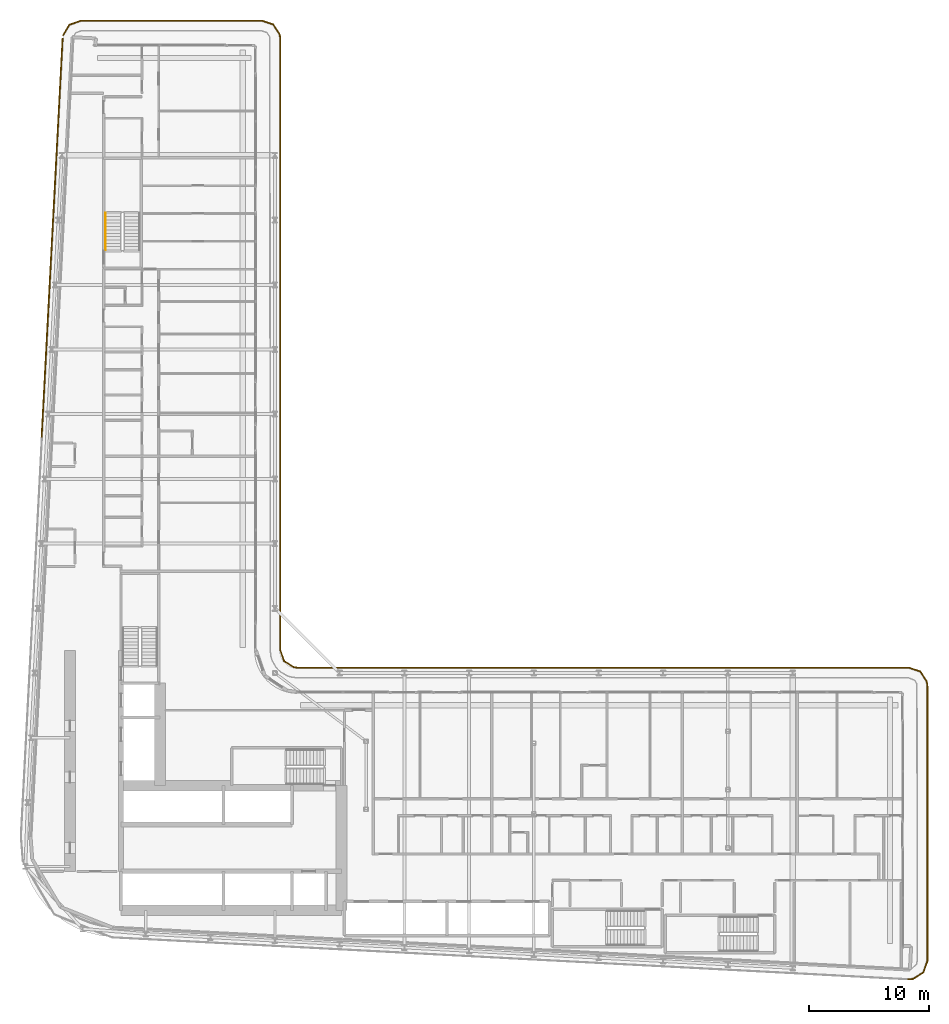
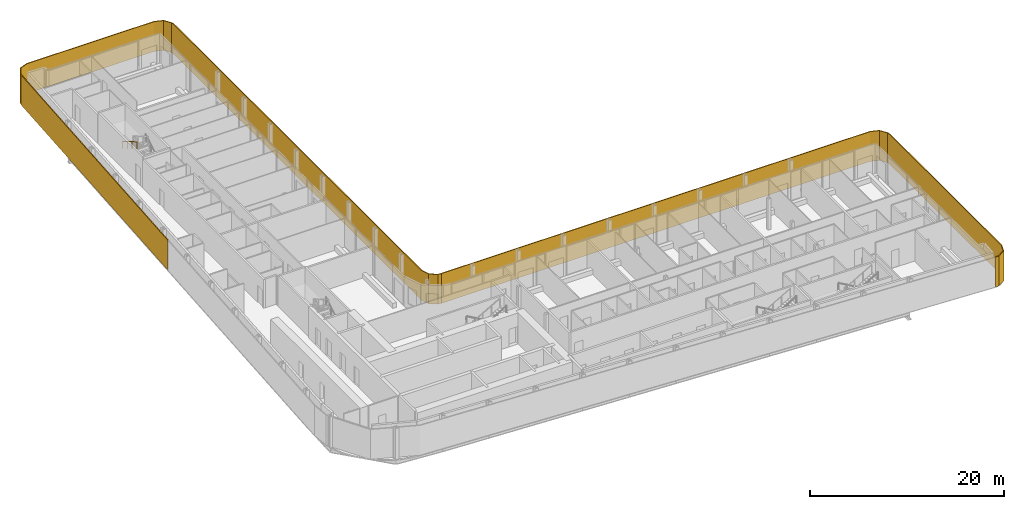
# One storey, part 26 of 28: 3 shading devices, 1 railing.
"""IFC4 building model written with IfcOpenShell, lengths in metres."""

from ifc_helpers import new_model, si_unit, direction, frame, origin, origin_2d, place, context, subcontext, project, spatial, polyline, rectangle, circle, outline, extrude, material, layer, layer_set, type_object, element, save


model = new_model("IFC4")

# Units and contexts
model_context = context("Model", 3, precision=1e-05, world=origin(), true_north=direction((0.0, 1.0)))
body_context = subcontext(model_context, "Body", "Model", "MODEL_VIEW")
ifc_project = project(units=[si_unit("LENGTHUNIT", "METRE"), si_unit("AREAUNIT", "SQUARE_METRE"), si_unit("VOLUMEUNIT", "CUBIC_METRE"), si_unit("PLANEANGLEUNIT", "RADIAN"), si_unit("MASSUNIT", "GRAM", prefix="KILO")], contexts=[model_context])

# Site, building, storey
site_placement = place(None, origin())
site = spatial("IfcSite", under=ifc_project, at=site_placement, CompositionType="ELEMENT")
building_placement = place(site_placement, origin())
building = spatial("IfcBuilding", under=site, at=building_placement, Name="Kheshtan School and Residences Tower", CompositionType="ELEMENT")
storey_placement = place(building_placement, frame((0.0, 0.0, 133.10009765625)))
storey = spatial("IfcBuildingStorey", under=building, at=storey_placement, Name="L31", CompositionType="ELEMENT", Elevation=133.10009765625)

# Shading devices
ifc_material_1 = material(Name="Terracotta baguette, extruded ceramic", Category="masonry")
ifc_layer_1 = layer(ifc_material_1, 0.10009765625)
ifc_layer_set_1 = layer_set([ifc_layer_1], Name="Ledge screen, terracotta baguettes")
shading_device_type_1 = type_object("IfcShadingDeviceType", Name="Ledge screen, terracotta baguettes", PredefinedType="USERDEFINED", material=ifc_layer_set_1)
shading_device_1_placement = place(storey_placement, frame((28.9990234375, 81.93408203125, 0.0), z_axis=(0.0, 0.0, 1.0), x_axis=(0.052562536748, 0.998617634398, 0.0)))
element("IfcShadingDevice", 1, at=shading_device_1_placement, inside=storey, type_object=shading_device_type_1, Name="Screen L31 5", ObjectType="BAGUETTE", PredefinedType="USERDEFINED", context=body_context, shape_type="SweptSolid", body=[
    extrude(rectangle(XDim=33.341064453125, YDim=0.10009765625, at=origin_2d()), origin(), (0.0, 0.0, 1.0), 3.75),
])
ifc_material_2 = material(Name="Terracotta lattice, extruded ceramic", Category="masonry")
ifc_layer_2 = layer(ifc_material_2, 0.10009765625)
ifc_layer_set_2 = layer_set([ifc_layer_2], Name="Loggia screen, terracotta lattice")
shading_device_type_2 = type_object("IfcShadingDeviceType", Name="Loggia screen, terracotta lattice", PredefinedType="USERDEFINED", material=ifc_layer_set_2)
shading_device_2_placement = place(storey_placement, origin())
element("IfcShadingDevice", 2, at=shading_device_2_placement, inside=storey, type_object=shading_device_type_2, Name="Screen L31 1", ObjectType="SCREEN", PredefinedType="USERDEFINED", context=body_context, shape_type="SweptSolid", body=[
    extrude(outline(polyline([(29.949951171875, 98.783935546875), (30.468017578125, 99.656982421875), (31.423095703125, 100.0), (46.5, 100.0), (47.4130859375, 99.68994140625), (47.948974609375, 98.887939453125), (48.0, 98.5), (48.0, 47.5), (48.31005859375, 46.5869140625), (49.112060546875, 46.051025390625), (49.5, 46.0), (49.512939453125, 46.09912109375), (49.14794921875, 46.14697265625), (48.39404296875, 46.65087890625), (48.10009765625, 47.51708984375), (48.10009765625, 98.507080078125), (48.044921875, 98.924072265625), (47.47705078125, 99.77392578125), (46.51708984375, 100.10009765625), (31.406005859375, 100.10009765625), (30.39990234375, 99.739013671875), (29.864013671875, 98.8349609375), (29.949951171875, 98.783935546875)])), origin(), (0.0, 0.0, 1.0), 3.75),
])
shading_device_3_placement = place(storey_placement, origin())
element("IfcShadingDevice", 3, at=shading_device_3_placement, inside=storey, type_object=shading_device_type_2, Name="Screen L31 2", ObjectType="SCREEN", PredefinedType="USERDEFINED", context=body_context, shape_type="SweptSolid", body=[
    extrude(outline(polyline([(49.5, 46.0), (100.5, 46.0), (101.4130859375, 45.68994140625), (101.948974609375, 44.887939453125), (102.0, 44.5), (102.0, 21.5810546875), (101.669921875, 20.64208984375), (100.823974609375, 20.116943359375), (100.4208984375, 20.0830078125), (100.428955078125, 19.98291015625), (100.85595703125, 20.01904296875), (101.7529296875, 20.575927734375), (102.10009765625, 21.56396484375), (102.10009765625, 44.507080078125), (102.044921875, 44.924072265625), (101.47705078125, 45.77392578125), (100.51708984375, 46.10009765625), (49.5, 46.10009765625), (49.5, 46.0)])), origin(), (0.0, 0.0, 1.0), 3.75),
])

# Railing
ifc_material_3 = material(Name="Stainless steel handrail", Category="steel")
railing_type = type_object("IfcRailingType", Name="Stair handrail 900", PredefinedType="HANDRAIL", material=ifc_material_3)
railing_placement = place(storey_placement, frame((33.449951171875, 83.97998046875, 2.1123046875)))
element("IfcRailing", 4, at=railing_placement, inside=storey, type_object=railing_type, Name="L31 ST3 stair handrail 2", PredefinedType="HANDRAIL", context=body_context, shape_type="SweptSolid", body=[
    extrude(circle(Radius=0.02392578125, at=origin_2d()), frame((0.0, 0.0, 0.8759765625), z_axis=(0.0, -0.864890721111, 0.501960198159), x_axis=(1.0, 0.0, 0.0)), (0.0, 0.0, 1.0), 3.561279296875),
    extrude(circle(Radius=0.02099609375, at=origin_2d()), origin(), (0.0, 0.0, 1.0), 0.851806640625),
    extrude(circle(Radius=0.02099609375, at=origin_2d()), frame((0.0, -1.026611328125, 0.595947265625)), (0.0, 0.0, 1.0), 0.851806640625),
    extrude(circle(Radius=0.02099609375, at=origin_2d()), frame((0.0, -2.053466796875, 1.191650390625)), (0.0, 0.0, 1.0), 0.851806640625),
    extrude(circle(Radius=0.02099609375, at=origin_2d()), frame((0.0, -3.080078125, 1.78759765625)), (0.0, 0.0, 1.0), 0.851806640625),
])

save(model, "model.ifc")
